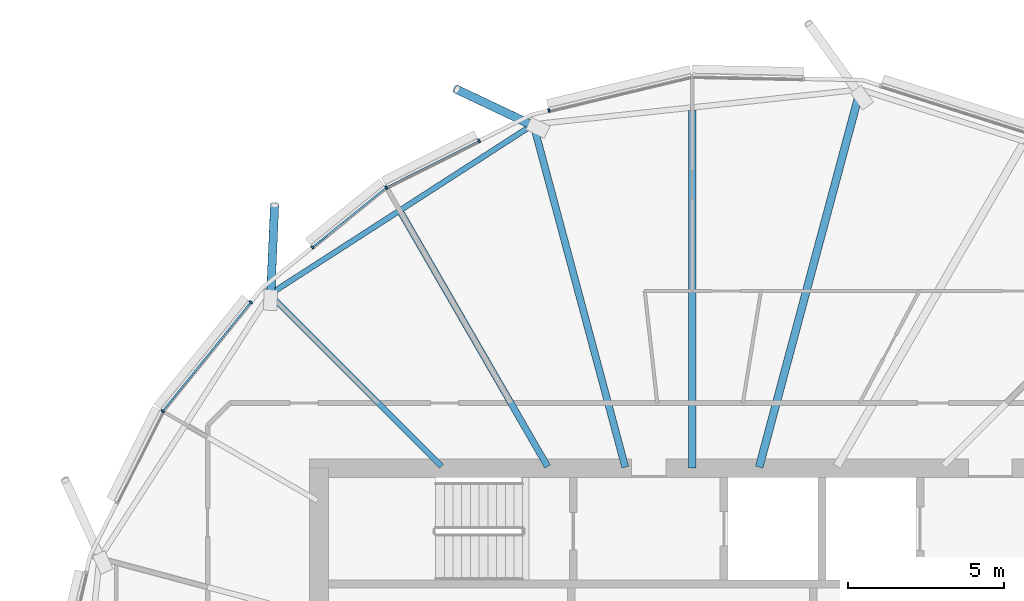
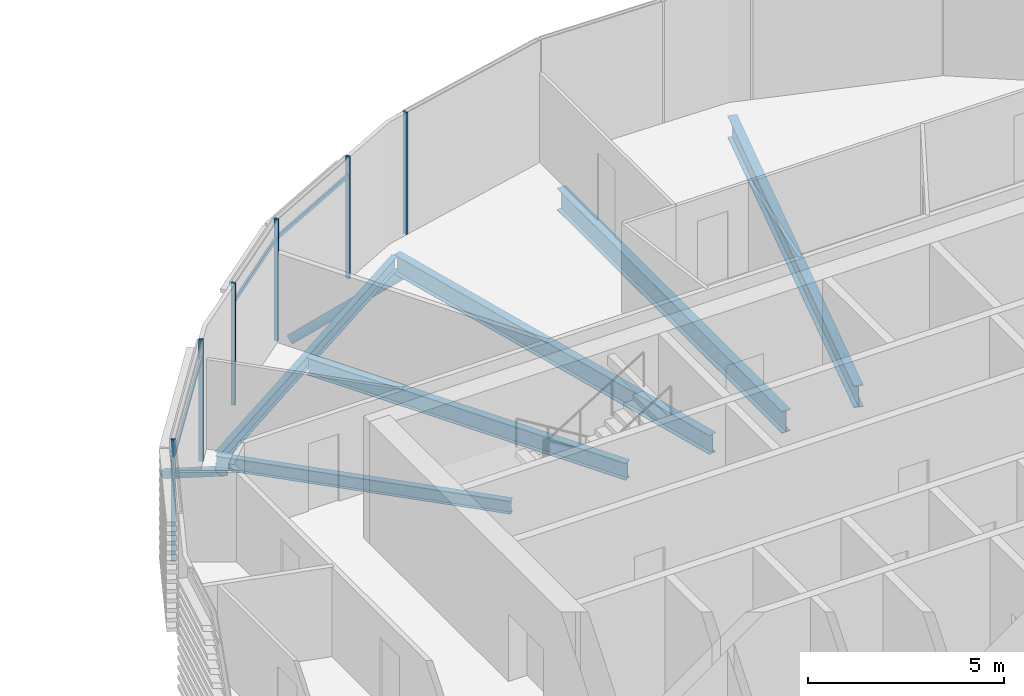
# One storey, part 16 of 36: 11 members, 6 beams, 1 element without a shape of its own.
"""IFC4 building model written with IfcOpenShell, lengths in metres."""

from ifc_helpers import new_model, si_unit, direction, frame, origin, origin_2d, place, context, subcontext, project, spatial, rectangle, hollow_circle, i_section, extrude, clip, halfspace, material, material_profile, profile_set, type_object, element, aggregate, save


model = new_model("IFC4")

# Units and contexts
model_context = context("Model", 3, precision=1e-05, world=origin(), true_north=direction((0.0, 1.0)))
body_context = subcontext(model_context, "Body", "Model", "MODEL_VIEW")
ifc_project = project(units=[si_unit("LENGTHUNIT", "METRE"), si_unit("AREAUNIT", "SQUARE_METRE"), si_unit("VOLUMEUNIT", "CUBIC_METRE"), si_unit("PLANEANGLEUNIT", "RADIAN"), si_unit("MASSUNIT", "GRAM", prefix="KILO")], contexts=[model_context])

# Site, building, storey
site_placement = place(None, origin())
site = spatial("IfcSite", under=ifc_project, at=site_placement, CompositionType="ELEMENT")
building_placement = place(site_placement, origin())
building = spatial("IfcBuilding", under=site, at=building_placement, Name="Rimbun Link Towers", CompositionType="ELEMENT")
storey_placement = place(building_placement, frame((0.0, 0.0, 189.300048828125)))
storey = spatial("IfcBuildingStorey", under=building, at=storey_placement, Name="L46", CompositionType="ELEMENT", Elevation=189.300048828125)

# Curtain wall, members
ifc_material_1 = material(Name="Aluminium 6063-T6 and low-iron glass", Category="aluminium")
curtain_wall_type = type_object("IfcCurtainWallType", Name="CW1-Z3 unitised vision wall (zone 3)", PredefinedType="NOTDEFINED", material=ifc_material_1)
curtain_wall_placement = place(storey_placement, origin())
curtain_wall = element("IfcCurtainWall", 1, at=curtain_wall_placement, inside=storey, type_object=curtain_wall_type, Name="CW1 L46 T2", PredefinedType="NOTDEFINED")
ifc_material_2 = material(Name="Aluminium 6063-T6", Category="aluminium")
ifc_material_profile_1 = material_profile(ifc_material_2, rectangle(XDim=0.1201171875, YDim=0.06005859375, at=origin_2d()), Name="MULLION 60X120")
ifc_profile_set_1 = profile_set([ifc_material_profile_1], Name="Aluminium 6063-T6")
member_type_1 = type_object("IfcMemberType", Name="CW1 mullion 60X120", PredefinedType="MULLION", material=ifc_profile_set_1)
member_1_placement = place(storey_placement, frame((27.14892578125, 19.495361328125, 0.0), z_axis=(0.0, 0.0, 1.0), x_axis=(-0.232596033225, 0.972573434414, 0.0)))
member_1 = element("IfcMember", 2, at=member_1_placement, type_object=member_type_1, Name="CW1 mullion", PredefinedType="MULLION", context=body_context, shape_type="SweptSolid", body=[
    extrude(rectangle(XDim=0.1201171875, YDim=0.06005859375, at=origin_2d()), origin(), (0.0, 0.0, 1.0), 3.800048828125),
])
member_2_placement = place(storey_placement, frame((21.91796875, 17.0234375, 0.0), z_axis=(0.0, 0.0, 1.0), x_axis=(-0.542094317248, 0.840317648992, 0.0)))
member_2 = element("IfcMember", 3, at=member_2_placement, type_object=member_type_1, Name="CW1 mullion", PredefinedType="MULLION", context=body_context, shape_type="SweptSolid", body=[
    extrude(rectangle(XDim=0.1201171875, YDim=0.06005859375, at=origin_2d()), origin(), (0.0, 0.0, 1.0), 3.800048828125),
])
member_3_placement = place(storey_placement, frame((24.899169921875, 18.52099609375, 0.0), z_axis=(0.0, 0.0, 1.0), x_axis=(-0.448780599884, 0.893641971467, 0.0)))
member_3 = element("IfcMember", 4, at=member_3_placement, type_object=member_type_1, Name="CW1 mullion", PredefinedType="MULLION", context=body_context, shape_type="SweptSolid", body=[
    extrude(rectangle(XDim=0.1201171875, YDim=0.06005859375, at=origin_2d()), origin(), (0.0, 0.0, 1.0), 3.800048828125),
])
member_4_placement = place(storey_placement, frame((19.541748046875, 15.100341796875, 0.0), z_axis=(0.0, 0.0, 1.0), x_axis=(-0.629146339344, 0.777286873483, 0.0)))
member_4 = element("IfcMember", 5, at=member_4_placement, type_object=member_type_1, Name="CW1 mullion", PredefinedType="MULLION", context=body_context, shape_type="SweptSolid", body=[
    extrude(rectangle(XDim=0.1201171875, YDim=0.06005859375, at=origin_2d()), origin(), (0.0, 0.0, 1.0), 3.800048828125),
])
member_5_placement = place(storey_placement, frame((14.7265625, 9.83203125, 0.0), z_axis=(0.0, 0.0, 1.0), x_axis=(-0.840317648992, 0.542094317248, 0.0)))
member_5 = element("IfcMember", 6, at=member_5_placement, type_object=member_type_1, Name="CW1 mullion", PredefinedType="MULLION", context=body_context, shape_type="SweptSolid", body=[
    extrude(rectangle(XDim=0.1201171875, YDim=0.06005859375, at=origin_2d()), origin(), (0.0, 0.0, 1.0), 3.800048828125),
])
member_6_placement = place(storey_placement, frame((17.561767578125, 13.33544921875, 0.0), z_axis=(0.0, 0.0, 1.0), x_axis=(-0.777286873483, 0.629146339344, 0.0)))
member_6 = element("IfcMember", 7, at=member_6_placement, type_object=member_type_1, Name="CW1 mullion", PredefinedType="MULLION", context=body_context, shape_type="SweptSolid", body=[
    extrude(rectangle(XDim=0.1201171875, YDim=0.06005859375, at=origin_2d()), origin(), (0.0, 0.0, 1.0), 3.800048828125),
])
ifc_material_3 = material(Name="Aluminium 6063-T6", Category="aluminium")
ifc_material_profile_2 = material_profile(ifc_material_3, rectangle(XDim=0.06005859375, YDim=0.1201171875, at=origin_2d()), Name="TRANSOM 60X120")
ifc_profile_set_2 = profile_set([ifc_material_profile_2], Name="Aluminium 6063-T6")
member_type_2 = type_object("IfcMemberType", Name="CW1 transom 60X120", PredefinedType="USERDEFINED", material=ifc_profile_set_2)
member_7_placement = place(storey_placement, frame((21.951416015625, 17.038330078125, 3.199951171875), z_axis=(0.89364927564, 0.44876605503, 0.0), x_axis=(-0.44876605503, 0.89364927564, 0.0)))
member_7 = element("IfcMember", 8, at=member_7_placement, type_object=member_type_2, Name="CW1 transom", ObjectType="TRANSOM", PredefinedType="USERDEFINED", context=body_context, shape_type="SweptSolid", body=[
    extrude(rectangle(XDim=0.06005859375, YDim=0.1201171875, at=origin_2d()), origin(), (0.0, 0.0, 1.0), 3.26953125),
])
member_8_placement = place(storey_placement, frame((19.566162109375, 15.11767578125, 3.199951171875), z_axis=(0.777296195394, 0.629134822296, 0.0), x_axis=(-0.629134822296, 0.777296195394, 0.0)))
member_8 = element("IfcMember", 9, at=member_8_placement, type_object=member_type_2, Name="CW1 transom", ObjectType="TRANSOM", PredefinedType="USERDEFINED", context=body_context, shape_type="SweptSolid", body=[
    extrude(rectangle(XDim=0.06005859375, YDim=0.1201171875, at=origin_2d()), origin(), (0.0, 0.0, 1.0), 2.99072265625),
])
member_9_placement = place(storey_placement, frame((14.750732421875, 9.859130859375, 3.199951171875), z_axis=(0.629130217393, 0.777299922529, 0.0), x_axis=(-0.777299922529, 0.629130217393, 0.0)))
member_9 = element("IfcMember", 10, at=member_9_placement, type_object=member_type_2, Name="CW1 transom", ObjectType="TRANSOM", PredefinedType="USERDEFINED", context=body_context, shape_type="SweptSolid", body=[
    extrude(rectangle(XDim=0.06005859375, YDim=0.1201171875, at=origin_2d()), origin(), (0.0, 0.0, 1.0), 4.440673828125),
])
aggregate(curtain_wall, [member_1, member_2, member_3, member_4, member_5, member_6, member_7, member_8, member_9])

# Members
ifc_material_4 = material(Name="Steel S355J2H", Category="steel")
ifc_material_profile_3 = material_profile(ifc_material_4, hollow_circle(Radius=0.136474609375, WallThickness=0.012451171875, at=origin_2d()), Name="CHS 273x12.5")
ifc_profile_set_3 = profile_set([ifc_material_profile_3], Name="Steel S355J2H")
member_type_3 = type_object("IfcMemberType", Name="Floor edge link CHS 273x12.5", PredefinedType="BRACE", material=ifc_profile_set_3)
member_10_placement = place(storey_placement, frame((26.658203125, 19.002685546875, -0.866943359375), z_axis=(-0.757658827249, 0.35831518545, -0.545493656578), x_axis=(-0.427525108744, -0.904003474215, 0.0)))
element("IfcMember", 11, at=member_10_placement, inside=storey, type_object=member_type_3, Name="Floor edge link T2 L46 04", PredefinedType="BRACE", context=body_context, shape_type="Clipping", body=[
    clip(extrude(hollow_circle(Radius=0.136474609375, WallThickness=0.012451171875, at=origin_2d()), frame((0.0, 0.0, -0.437744140625)), (0.0, 0.0, 1.0), 3.740234375), halfspace(frame((0.0, 0.0, -0.205810546875), z_axis=(0.0, 0.838114950727, -0.545493656578)), False)),
])
member_11_placement = place(storey_placement, frame((18.19921875, 13.55078125, -0.671142578125), z_axis=(0.036567935402, 0.838816499026, -0.543184744872), x_axis=(-0.999051104329, 0.043553311468, 0.0)))
element("IfcMember", 12, at=member_11_placement, inside=storey, type_object=member_type_3, Name="Floor edge link T2 L46 06", PredefinedType="BRACE", context=body_context, shape_type="Clipping", body=[
    clip(extrude(hollow_circle(Radius=0.136474609375, WallThickness=0.012451171875, at=origin_2d()), frame((0.0, 0.0, -0.4404296875)), (0.0, 0.0, 1.0), 3.918701171875), halfspace(frame((0.0, 0.0, -0.20751953125), z_axis=(0.0, 0.839613204362, -0.543184744872)), False)),
])

# Beams
ifc_material_5 = material(Name="Steel S355J2", Category="steel")
ifc_material_profile_4 = material_profile(ifc_material_5, i_section(OverallWidth=0.177978515625, OverallDepth=0.406494140625, WebThickness=0.0078125, FlangeThickness=0.0126953125, at=origin_2d()), Name="UB 406x178x60")
ifc_profile_set_4 = profile_set([ifc_material_profile_4], Name="Steel S355J2")
beam_type_1 = type_object("IfcBeamType", Name="UB 406x178x60", PredefinedType="BEAM", material=ifc_profile_set_4)
beam_1_placement = place(storey_placement, frame((23.686279296875, 8.063720703125, -0.353271484375), z_axis=(-0.707106781187, 0.707106781187, 0.0), x_axis=(-0.707106781187, -0.707106781187, 0.0)))
element("IfcBeam", 13, at=beam_1_placement, inside=storey, type_object=beam_type_1, Name="Radial beam T2 L46 06", PredefinedType="BEAM", context=body_context, shape_type="SweptSolid", body=[
    extrude(i_section(OverallWidth=0.177978515625, OverallDepth=0.406494140625, WebThickness=0.0078125, FlangeThickness=0.0126953125, at=origin_2d()), origin(), (0.0, 0.0, 1.0), 7.81005859375),
])
beam_2_placement = place(storey_placement, frame((26.5439453125, 18.985595703125, -0.353271484375), z_axis=(-0.840619053894, -0.541626814541, 0.0), x_axis=(0.541626814541, -0.840619053894, 0.0)))
element("IfcBeam", 14, at=beam_2_placement, inside=storey, type_object=beam_type_1, Name="Edge beam T2 L46 04-06", PredefinedType="BEAM", context=body_context, shape_type="SweptSolid", body=[
    extrude(i_section(OverallWidth=0.177978515625, OverallDepth=0.406494140625, WebThickness=0.0078125, FlangeThickness=0.0126953125, at=origin_2d()), origin(), (0.0, 0.0, 1.0), 9.876953125),
])
ifc_material_6 = material(Name="Steel S355J2", Category="steel")
ifc_material_profile_5 = material_profile(ifc_material_6, i_section(OverallWidth=0.209228515625, OverallDepth=0.533203125, WebThickness=0.010009765625, FlangeThickness=0.015625, at=origin_2d()), Name="UB 533x210x92")
ifc_profile_set_5 = profile_set([ifc_material_profile_5], Name="Steel S355J2")
beam_type_2 = type_object("IfcBeamType", Name="UB 533x210x92", PredefinedType="BEAM", material=ifc_profile_set_5)
beam_3_placement = place(storey_placement, frame((27.1005859375, 8.05322265625, -0.41650390625), z_axis=(-0.50001657107, 0.866015836261, 0.0), x_axis=(-0.866015836261, -0.50001657107, 0.0)))
element("IfcBeam", 15, at=beam_3_placement, inside=storey, type_object=beam_type_2, Name="Radial beam T2 L46 05", PredefinedType="BEAM", context=body_context, shape_type="SweptSolid", body=[
    extrude(i_section(OverallWidth=0.209228515625, OverallDepth=0.533203125, WebThickness=0.010009765625, FlangeThickness=0.015625, at=origin_2d()), origin(), (0.0, 0.0, 1.0), 9.412841796875),
])
ifc_material_7 = material(Name="Steel S355J2", Category="steel")
ifc_material_profile_6 = material_profile(ifc_material_7, i_section(OverallWidth=0.2275390625, OverallDepth=0.6025390625, WebThickness=0.010498046875, FlangeThickness=0.014892578125, at=origin_2d()), Name="UB 610x229x101")
ifc_profile_set_6 = profile_set([ifc_material_profile_6], Name="Steel S355J2")
beam_type_3 = type_object("IfcBeamType", Name="UB 610x229x101", PredefinedType="BEAM", material=ifc_profile_set_6)
beam_4_placement = place(storey_placement, frame((29.598388671875, 8.030517578125, -0.451416015625), z_axis=(-0.258839837013, 0.965920254873, 0.0), x_axis=(-0.965920254873, -0.258839837013, 0.0)))
element("IfcBeam", 16, at=beam_4_placement, inside=storey, type_object=beam_type_3, Name="Radial beam T2 L46 04", PredefinedType="BEAM", context=body_context, shape_type="SweptSolid", body=[
    extrude(i_section(OverallWidth=0.2275390625, OverallDepth=0.6025390625, WebThickness=0.010498046875, FlangeThickness=0.014892578125, at=origin_2d()), origin(), (0.0, 0.0, 1.0), 11.4091796875),
])
ifc_material_8 = material(Name="Steel S355J2", Category="steel")
ifc_material_profile_7 = material_profile(ifc_material_8, i_section(OverallWidth=0.253662109375, OverallDepth=0.68359375, WebThickness=0.012451171875, FlangeThickness=0.01904296875, at=origin_2d()), Name="UB 686x254x140")
ifc_profile_set_7 = profile_set([ifc_material_profile_7], Name="Steel S355J2")
beam_type_4 = type_object("IfcBeamType", Name="UB 686x254x140", PredefinedType="BEAM", material=ifc_profile_set_7)
beam_5_placement = place(storey_placement, frame((33.902587890625, 8.03369140625, -0.49169921875), z_axis=(0.258825757589, 0.965924027659, 0.0), x_axis=(-0.965924027659, 0.258825757589, 0.0)))
element("IfcBeam", 17, at=beam_5_placement, inside=storey, type_object=beam_type_4, Name="Radial beam T2 L46 02", PredefinedType="BEAM", context=body_context, shape_type="SweptSolid", body=[
    extrude(i_section(OverallWidth=0.253662109375, OverallDepth=0.68359375, WebThickness=0.012451171875, FlangeThickness=0.01904296875, at=origin_2d()), origin(), (0.0, 0.0, 1.0), 12.474609375),
])
beam_6_placement = place(storey_placement, frame((31.75, 8.0009765625, -0.49169921875), z_axis=(0.0, 1.0, 0.0), x_axis=(-1.0, 0.0, 0.0)))
element("IfcBeam", 18, at=beam_6_placement, inside=storey, type_object=beam_type_4, Name="Radial beam T2 L46 03", PredefinedType="BEAM", context=body_context, shape_type="SweptSolid", body=[
    extrude(i_section(OverallWidth=0.253662109375, OverallDepth=0.68359375, WebThickness=0.012451171875, FlangeThickness=0.01904296875, at=origin_2d()), origin(), (0.0, 0.0, 1.0), 11.503173828125),
])

save(model, "model.ifc")
